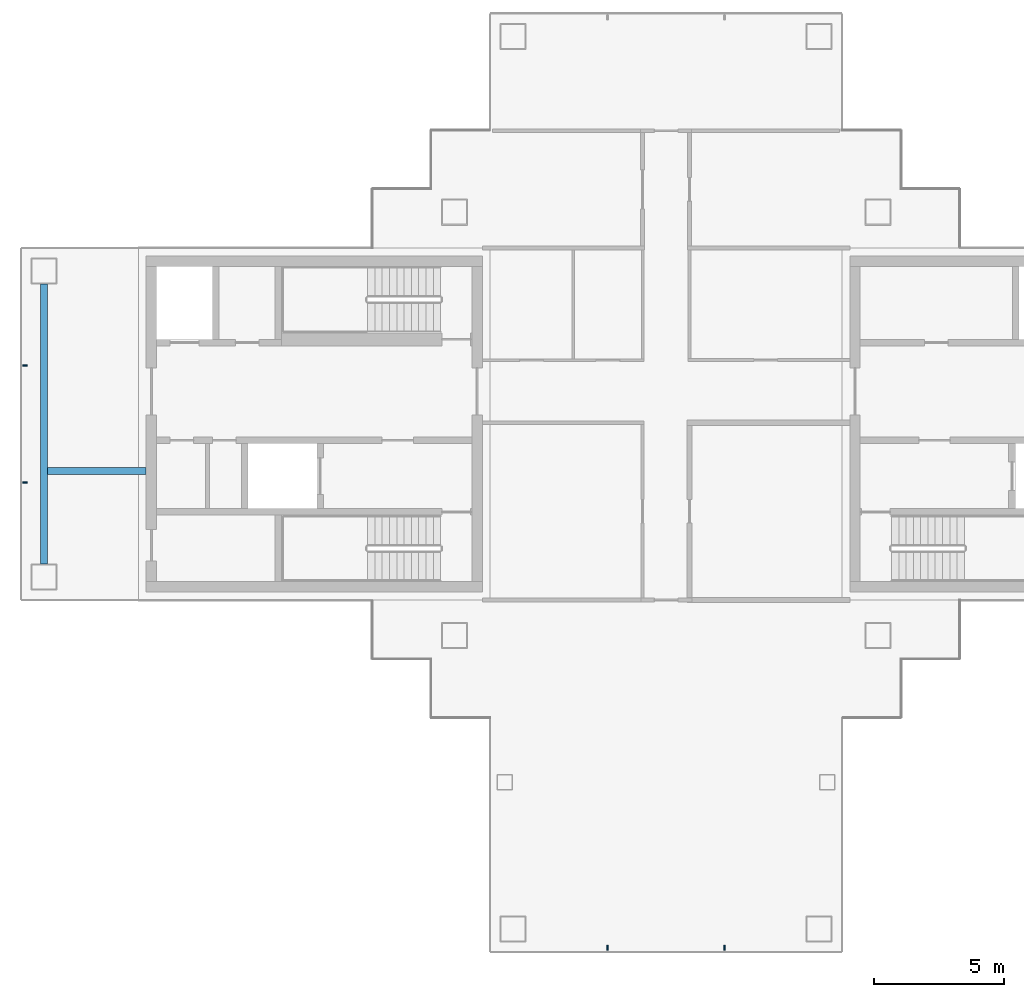
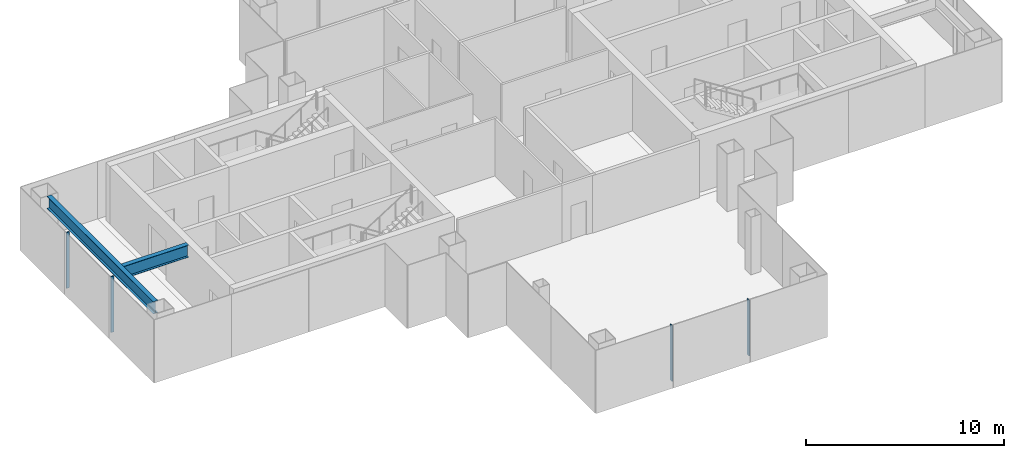
# One storey, part 3 of 16: 4 members, 2 beams, 2 elements without a shape of their own.
"""IFC4 building model written with IfcOpenShell, lengths in metres."""

from ifc_helpers import new_model, si_unit, direction, frame, origin, origin_2d, place, context, subcontext, project, spatial, rectangle, i_section, extrude, material, layer, layer_set, material_profile, profile_set, type_object, element, aggregate, save


model = new_model("IFC4")

# Units and contexts
model_context = context("Model", 3, precision=1e-05, world=origin(), true_north=direction((0.0, 1.0)))
body_context = subcontext(model_context, "Body", "Model", "MODEL_VIEW")
ifc_project = project(units=[si_unit("LENGTHUNIT", "METRE"), si_unit("AREAUNIT", "SQUARE_METRE"), si_unit("VOLUMEUNIT", "CUBIC_METRE"), si_unit("PLANEANGLEUNIT", "RADIAN"), si_unit("MASSUNIT", "GRAM", prefix="KILO")], contexts=[model_context])

# Site, building, storey
site_placement = place(None, origin())
site = spatial("IfcSite", under=ifc_project, at=site_placement, CompositionType="ELEMENT")
building_placement = place(site_placement, origin())
building = spatial("IfcBuilding", under=site, at=building_placement, Name="Shamsa Quay Exchange Towers", CompositionType="ELEMENT")
storey_placement = place(building_placement, frame((0.0, 0.0, 213.89990234375)))
storey = spatial("IfcBuildingStorey", under=building, at=storey_placement, Name="L51", CompositionType="ELEMENT", Elevation=213.89990234375)

# Curtain wall, members
ifc_material_1 = material(Name="Aluminium EN AW-6063 T6, black anodised", Category="aluminium")
ifc_layer = layer(ifc_material_1, 0.280029296875)
ifc_layer_set = layer_set([ifc_layer], Name="CW-1 UNITISED VISION GLASS")
curtain_wall_type = type_object("IfcCurtainWallType", Name="CW-1 UNITISED VISION GLASS", PredefinedType="NOTDEFINED", material=ifc_layer_set)
curtain_wall_1_placement = place(storey_placement, origin())
curtain_wall_1 = element("IfcCurtainWall", 1, at=curtain_wall_1_placement, inside=storey, type_object=curtain_wall_type, Name="CW1 T1-END-V- L51", PredefinedType="NOTDEFINED")
ifc_material_profile_1 = material_profile(ifc_material_1, rectangle(XDim=0.179931640625, YDim=0.06005859375, at=origin_2d()), Name="MU60x180")
ifc_profile_set_1 = profile_set([ifc_material_profile_1], Name="Aluminium EN AW-6063 T6, black anodised")
member_type = type_object("IfcMemberType", Name="CW1 MULLION 60x180", PredefinedType="MULLION", material=ifc_profile_set_1)
member_1_placement = place(storey_placement, frame((-36.0, -20.10009765625, 0.0), z_axis=(0.0, 0.0, 1.0), x_axis=(0.0, 1.0, 0.0)))
member_1 = element("IfcMember", 2, at=member_1_placement, type_object=member_type, Name="CW1 mullion", PredefinedType="MULLION", context=body_context, shape_type="SweptSolid", body=[
    extrude(rectangle(XDim=0.179931640625, YDim=0.06005859375, at=origin_2d()), origin(), (0.0, 0.0, 1.0), 3.4501953125),
])
member_2_placement = place(storey_placement, frame((-31.5, -20.10009765625, 0.0), z_axis=(0.0, 0.0, 1.0), x_axis=(0.0, 1.0, 0.0)))
member_2 = element("IfcMember", 3, at=member_2_placement, type_object=member_type, Name="CW1 mullion", PredefinedType="MULLION", context=body_context, shape_type="SweptSolid", body=[
    extrude(rectangle(XDim=0.179931640625, YDim=0.06005859375, at=origin_2d()), origin(), (0.0, 0.0, 1.0), 3.4501953125),
])
aggregate(curtain_wall_1, [member_1, member_2])

curtain_wall_2_placement = place(storey_placement, origin())
curtain_wall_2 = element("IfcCurtainWall", 4, at=curtain_wall_2_placement, inside=storey, type_object=curtain_wall_type, Name="CW1 T1-END-U- L51", PredefinedType="NOTDEFINED")
member_3_placement = place(storey_placement, frame((-58.35009765625, 2.25, 0.0)))
member_3 = element("IfcMember", 5, at=member_3_placement, type_object=member_type, Name="CW1 mullion", PredefinedType="MULLION", context=body_context, shape_type="SweptSolid", body=[
    extrude(rectangle(XDim=0.179931640625, YDim=0.06005859375, at=origin_2d()), origin(), (0.0, 0.0, 1.0), 3.4501953125),
])
member_4_placement = place(storey_placement, frame((-58.35009765625, -2.25, 0.0)))
member_4 = element("IfcMember", 6, at=member_4_placement, type_object=member_type, Name="CW1 mullion", PredefinedType="MULLION", context=body_context, shape_type="SweptSolid", body=[
    extrude(rectangle(XDim=0.179931640625, YDim=0.06005859375, at=origin_2d()), origin(), (0.0, 0.0, 1.0), 3.4501953125),
])
aggregate(curtain_wall_2, [member_3, member_4])

# Beams
ifc_material_2 = material(Name="Steel S355", Category="steel")
ifc_material_profile_2 = material_profile(ifc_material_2, i_section(OverallWidth=0.26611328125, OverallDepth=0.7578125, WebThickness=0.013916015625, FlangeThickness=0.019287109375, at=origin_2d()), Name="W30x108")
ifc_profile_set_2 = profile_set([ifc_material_profile_2], Name="Steel S355")
beam_type = type_object("IfcBeamType", Name="End-zone beam W30x108", PredefinedType="BEAM", material=ifc_profile_set_2)
beam_1_placement = place(storey_placement, frame((-57.625, -5.375, 3.171142578125), z_axis=(0.0, 1.0, 0.0), x_axis=(-1.0, 0.0, 0.0)))
element("IfcBeam", 7, at=beam_1_placement, inside=storey, type_object=beam_type, Name="End beam T1 U- end zone L51", PredefinedType="BEAM", context=body_context, shape_type="SweptSolid", body=[
    extrude(i_section(OverallWidth=0.26611328125, OverallDepth=0.7578125, WebThickness=0.013916015625, FlangeThickness=0.019287109375, at=origin_2d()), origin(), (0.0, 0.0, 1.0), 10.75),
])
beam_2_placement = place(storey_placement, frame((-53.699951171875, -1.800048828125, 3.171142578125), z_axis=(-1.0, 0.0, 0.0), x_axis=(0.0, -1.0, 0.0)))
element("IfcBeam", 8, at=beam_2_placement, inside=storey, type_object=beam_type, Name="Spine beam T1 U- end zone L51", PredefinedType="BEAM", context=body_context, shape_type="SweptSolid", body=[
    extrude(i_section(OverallWidth=0.26611328125, OverallDepth=0.7578125, WebThickness=0.013916015625, FlangeThickness=0.019287109375, at=origin_2d()), origin(), (0.0, 0.0, 1.0), 3.7919921875),
])

save(model, "model.ifc")
